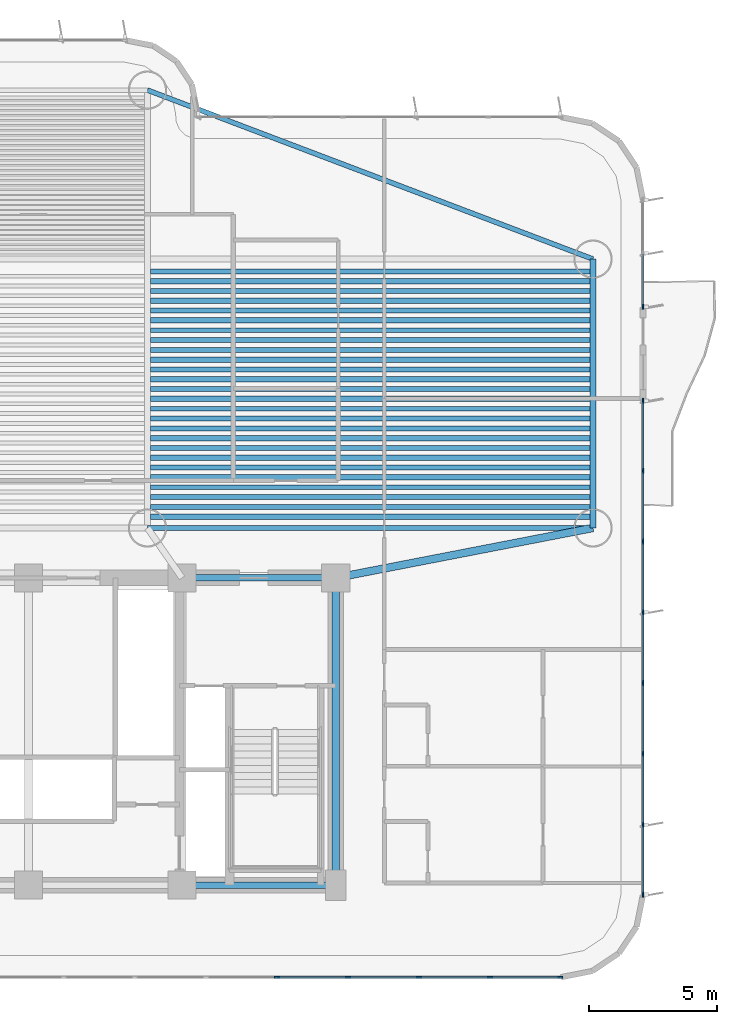
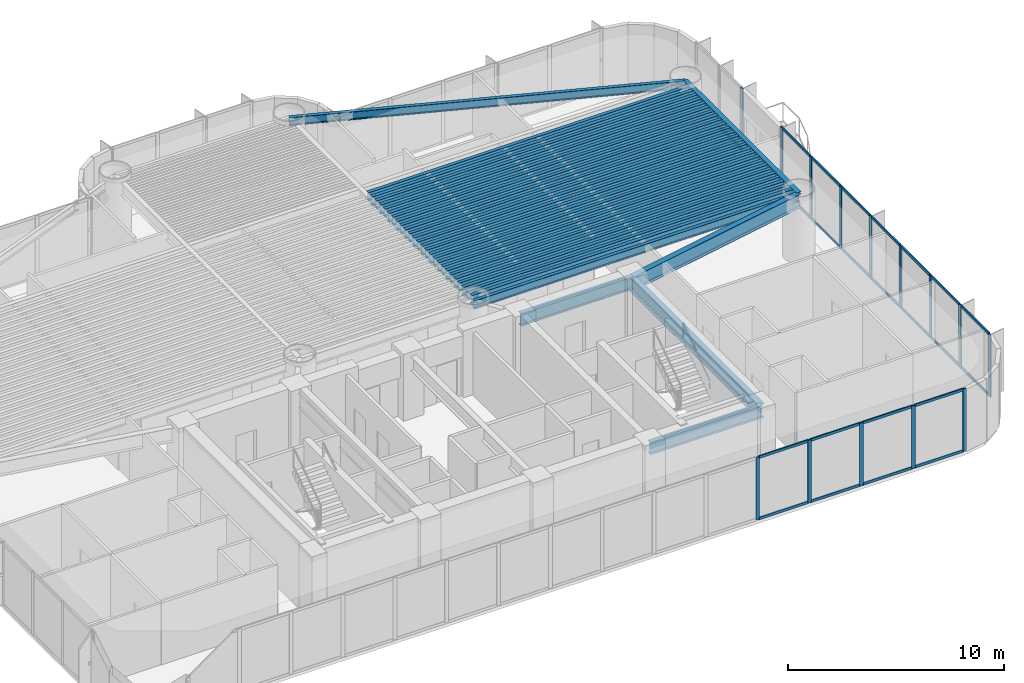
# One storey, part 5 of 17: 37 members, 33 beams, 3 elements without a shape of their own.
"""IFC4 building model written with IfcOpenShell, lengths in metres."""

from ifc_helpers import new_model, si_unit, direction, frame, origin, origin_2d, place, context, subcontext, project, spatial, rectangle, i_section, extrude, source, transform, mapped, material, layer, layer_set, material_profile, profile_set, type_object, element, aggregate, save


model = new_model("IFC4")

# Units and contexts
model_context = context("Model", 3, precision=1e-05, world=origin(), true_north=direction((0.0, 1.0)))
body_context = subcontext(model_context, "Body", "Model", "MODEL_VIEW")
ifc_project = project(units=[si_unit("LENGTHUNIT", "METRE"), si_unit("AREAUNIT", "SQUARE_METRE"), si_unit("VOLUMEUNIT", "CUBIC_METRE"), si_unit("PLANEANGLEUNIT", "RADIAN"), si_unit("MASSUNIT", "GRAM", prefix="KILO")], contexts=[model_context])

# Site, building, storey
site_placement = place(None, origin())
site = spatial("IfcSite", under=ifc_project, at=site_placement, CompositionType="ELEMENT")
building_placement = place(site_placement, origin())
building = spatial("IfcBuilding", under=site, at=building_placement, Name="Brelvock Crest Care Tower", CompositionType="ELEMENT")
storey_placement = place(building_placement, frame((0.0, 0.0, 45.89990234375)))
storey = spatial("IfcBuildingStorey", under=building, at=storey_placement, Name="L11", CompositionType="ELEMENT", Elevation=45.89990234375)

# Beams
ifc_material_1 = material(Name="Steel Grade 350", Category="steel")
ifc_material_profile_1 = material_profile(ifc_material_1, i_section(OverallWidth=0.25, OverallDepth=0.699951171875, WebThickness=0.011962890625, FlangeThickness=0.02001953125, at=origin_2d()), Name="700WB150")
ifc_profile_set_1 = profile_set([ifc_material_profile_1], Name="Steel Grade 350")
beam_type_1 = type_object("IfcBeamType", Name="BM-G4", PredefinedType="BEAM", material=ifc_profile_set_1)
shared_shape_1 = source(origin(), body_context, "Body", "SweptSolid", [
    extrude(i_section(OverallWidth=0.25, OverallDepth=0.699951171875, WebThickness=0.011962890625, FlangeThickness=0.02001953125, at=origin_2d()), origin(), (0.0, 0.0, 1.0), 6.0),
])
for number, where, z_axis, x_axis, name in (
    (1, (42.0, 6.0, 3.18017578125), (1.0, 0.0, 0.0), (0.0, 1.0, 0.0), "BM-CORES-L11-4"),
    (2, (42.0, 18.0, 3.18017578125), (1.0, 0.0, 0.0), (0.0, 1.0, 0.0), "BM-COREN-L11-4"),
):
    element("IfcBeam", number, at=place(storey_placement, frame(where, z_axis=z_axis, x_axis=x_axis)), inside=storey, type_object=beam_type_1, Name=name, PredefinedType="BEAM", context=body_context, shape_type="MappedRepresentation", body=[
        mapped(shared_shape_1, transform((0.0, 0.0, 0.0), x_axis=(1.0, 0.0, 0.0), y_axis=(0.0, 1.0, 0.0), z_axis=(0.0, 0.0, 1.0), scale=1.0)),
    ])
ifc_material_profile_2 = material_profile(ifc_material_1, i_section(OverallWidth=0.300048828125, OverallDepth=0.800048828125, WebThickness=0.013916015625, FlangeThickness=0.02197265625, at=origin_2d()), Name="800WB192")
ifc_profile_set_2 = profile_set([ifc_material_profile_2], Name="Steel Grade 350")
beam_type_2 = type_object("IfcBeamType", Name="BM-G5", PredefinedType="BEAM", material=ifc_profile_set_2)
shared_shape_2 = source(origin(), body_context, "Body", "SweptSolid", [
    extrude(i_section(OverallWidth=0.300048828125, OverallDepth=0.800048828125, WebThickness=0.013916015625, FlangeThickness=0.02197265625, at=origin_2d()), origin(), (0.0, 0.0, 1.0), 12.0),
])
beam_1_placement = place(storey_placement, frame((48.0, 6.0, 3.130126953125), z_axis=(0.0, 1.0, 0.0), x_axis=(-1.0, 0.0, 0.0)))
element("IfcBeam", 3, at=beam_1_placement, inside=storey, type_object=beam_type_2, Name="BM-COREX-L11-5", PredefinedType="BEAM", context=body_context, shape_type="MappedRepresentation", body=[
    mapped(shared_shape_2, transform((0.0, 0.0, 0.0), x_axis=(1.0, 0.0, 0.0), y_axis=(0.0, 1.0, 0.0), z_axis=(0.0, 0.0, 1.0), scale=1.0)),
])
shared_shape_3 = source(origin(), body_context, "Body", "SweptSolid", [
    extrude(i_section(OverallWidth=0.25, OverallDepth=0.699951171875, WebThickness=0.011962890625, FlangeThickness=0.02001953125, at=origin_2d()), origin(), (0.0, 0.0, 1.0), 10.5),
])
beam_2_placement = place(storey_placement, frame((58.050048828125, 19.949951171875, 3.18017578125), z_axis=(0.0, 1.0, 0.0), x_axis=(-1.0, 0.0, 0.0)))
element("IfcBeam", 4, at=beam_2_placement, inside=storey, type_object=beam_type_1, Name="BM-TWR-L11-02", PredefinedType="BEAM", context=body_context, shape_type="MappedRepresentation", body=[
    mapped(shared_shape_3, transform((0.0, 0.0, 0.0), x_axis=(1.0, 0.0, 0.0), y_axis=(0.0, 1.0, 0.0), z_axis=(0.0, 0.0, 1.0), scale=1.0)),
])
ifc_material_profile_3 = material_profile(ifc_material_1, i_section(OverallWidth=0.19091796875, OverallDepth=0.4599609375, WebThickness=0.010009765625, FlangeThickness=0.01611328125, FilletRadius=0.011474609375, at=origin_2d()), Name="460UB82.1")
ifc_profile_set_3 = profile_set([ifc_material_profile_3], Name="Steel Grade 350")
beam_type_3 = type_object("IfcBeamType", Name="BM-SP2", PredefinedType="SPANDREL", material=ifc_profile_set_3)
shared_shape_4 = source(origin(), body_context, "Body", "SweptSolid", [
    extrude(i_section(OverallWidth=0.19091796875, OverallDepth=0.4599609375, WebThickness=0.010009765625, FlangeThickness=0.01611328125, FilletRadius=0.011474609375, at=origin_2d()), origin(), (0.0, 0.0, 1.0), 17.400146484375),
])
beam_3_placement = place(storey_placement, frame((40.64990234375, 19.949951171875, 3.300048828125), z_axis=(1.0, 0.0, 0.0), x_axis=(0.0, 1.0, 0.0)))
element("IfcBeam", 5, at=beam_3_placement, inside=storey, type_object=beam_type_3, Name="BM-TWR-L11-04", PredefinedType="SPANDREL", context=body_context, shape_type="MappedRepresentation", body=[
    mapped(shared_shape_4, transform((0.0, 0.0, 0.0), x_axis=(1.0, 0.0, 0.0), y_axis=(0.0, 1.0, 0.0), z_axis=(0.0, 0.0, 1.0), scale=1.0)),
])
shared_shape_5 = source(origin(), body_context, "Body", "SweptSolid", [
    extrude(i_section(OverallWidth=0.19091796875, OverallDepth=0.4599609375, WebThickness=0.010009765625, FlangeThickness=0.01611328125, FilletRadius=0.011474609375, at=origin_2d()), origin(), (0.0, 0.0, 1.0), 18.60986328125),
])
beam_4_placement = place(storey_placement, frame((40.64990234375, 37.050048828125, 3.300048828125), z_axis=(0.934996776275, -0.3546562115, 0.0), x_axis=(0.3546562115, 0.934996776275, 0.0)))
element("IfcBeam", 6, at=beam_4_placement, inside=storey, type_object=beam_type_3, Name="BM-TWR-L11-07", PredefinedType="SPANDREL", context=body_context, shape_type="MappedRepresentation", body=[
    mapped(shared_shape_5, transform((0.0, 0.0, 0.0), x_axis=(1.0, 0.0, 0.0), y_axis=(0.0, 1.0, 0.0), z_axis=(0.0, 0.0, 1.0), scale=1.0)),
])
shared_shape_6 = source(origin(), body_context, "Body", "SweptSolid", [
    extrude(i_section(OverallWidth=0.300048828125, OverallDepth=0.800048828125, WebThickness=0.013916015625, FlangeThickness=0.02197265625, at=origin_2d()), origin(), (0.0, 0.0, 1.0), 10.237548828125),
])
beam_5_placement = place(storey_placement, frame((48.0, 18.0, 3.130126953125), z_axis=(0.981692632568, 0.190471979991, 0.0), x_axis=(-0.190471979991, 0.981692632568, 0.0)))
element("IfcBeam", 7, at=beam_5_placement, inside=storey, type_object=beam_type_2, Name="BM-THRO-E-L11", PredefinedType="BEAM", context=body_context, shape_type="MappedRepresentation", body=[
    mapped(shared_shape_6, transform((0.0, 0.0, 0.0), x_axis=(1.0, 0.0, 0.0), y_axis=(0.0, 1.0, 0.0), z_axis=(0.0, 0.0, 1.0), scale=1.0)),
])
ifc_material_profile_4 = material_profile(ifc_material_1, i_section(OverallWidth=0.208984375, OverallDepth=0.532958984375, WebThickness=0.01025390625, FlangeThickness=0.015625, FilletRadius=0.013916015625, at=origin_2d()), Name="530UB92.4")
ifc_profile_set_4 = profile_set([ifc_material_profile_4], Name="Steel Grade 350")
beam_type_4 = type_object("IfcBeamType", Name="BM-G2", PredefinedType="BEAM", material=ifc_profile_set_4)
shared_shape_7 = source(origin(), body_context, "Body", "SweptSolid", [
    extrude(i_section(OverallWidth=0.208984375, OverallDepth=0.532958984375, WebThickness=0.01025390625, FlangeThickness=0.015625, FilletRadius=0.013916015625, at=origin_2d()), origin(), (0.0, 0.0, 1.0), 17.170166015625),
])
for number, where, z_axis, x_axis, name in (
    (8, (40.764892578125, 20.39111328125, 3.263671875), (1.0, 0.0, 0.0), (0.0, 1.0, 0.0), "BM-JE-L11-1"),
    (9, (40.764892578125, 21.157470703125, 3.263671875), (1.0, 0.0, 0.0), (0.0, 1.0, 0.0), "BM-JE-L11-3"),
    (10, (40.764892578125, 21.924072265625, 3.263671875), (1.0, 0.0, 0.0), (0.0, 1.0, 0.0), "BM-JE-L11-5"),
    (11, (40.764892578125, 22.6904296875, 3.263671875), (1.0, 0.0, 0.0), (0.0, 1.0, 0.0), "BM-JE-L11-7"),
    (12, (40.764892578125, 23.45703125, 3.263671875), (1.0, 0.0, 0.0), (0.0, 1.0, 0.0), "BM-JE-L11-9"),
    (13, (40.764892578125, 24.223388671875, 3.263671875), (1.0, 0.0, 0.0), (0.0, 1.0, 0.0), "BM-JE-L11-11"),
    (14, (40.764892578125, 24.989990234375, 3.263671875), (1.0, 0.0, 0.0), (0.0, 1.0, 0.0), "BM-JE-L11-13"),
    (15, (40.764892578125, 25.756591796875, 3.263671875), (1.0, 0.0, 0.0), (0.0, 1.0, 0.0), "BM-JE-L11-15"),
    (16, (40.764892578125, 26.52294921875, 3.263671875), (1.0, 0.0, 0.0), (0.0, 1.0, 0.0), "BM-JE-L11-17"),
    (17, (40.764892578125, 27.28955078125, 3.263671875), (1.0, 0.0, 0.0), (0.0, 1.0, 0.0), "BM-JE-L11-19"),
    (18, (40.764892578125, 28.055908203125, 3.263671875), (1.0, 0.0, 0.0), (0.0, 1.0, 0.0), "BM-JE-L11-21"),
    (19, (40.764892578125, 28.822509765625, 3.263671875), (1.0, 0.0, 0.0), (0.0, 1.0, 0.0), "BM-JE-L11-23"),
    (20, (40.764892578125, 29.589111328125, 3.263671875), (1.0, 0.0, 0.0), (0.0, 1.0, 0.0), "BM-JE-L11-25"),
):
    element("IfcBeam", number, at=place(storey_placement, frame(where, z_axis=z_axis, x_axis=x_axis)), inside=storey, type_object=beam_type_4, Name=name, PredefinedType="BEAM", context=body_context, shape_type="MappedRepresentation", body=[
        mapped(shared_shape_7, transform((0.0, 0.0, 0.0), x_axis=(1.0, 0.0, 0.0), y_axis=(0.0, 1.0, 0.0), z_axis=(0.0, 0.0, 1.0), scale=1.0)),
    ])
ifc_material_profile_5 = material_profile(ifc_material_1, i_section(OverallWidth=0.19091796875, OverallDepth=0.4599609375, WebThickness=0.010009765625, FlangeThickness=0.01611328125, FilletRadius=0.011474609375, at=origin_2d()), Name="460UB82.1")
ifc_profile_set_5 = profile_set([ifc_material_profile_5], Name="Steel Grade 350")
beam_type_5 = type_object("IfcBeamType", Name="BM-G3", PredefinedType="BEAM", material=ifc_profile_set_5)
shared_shape_8 = source(origin(), body_context, "Body", "SweptSolid", [
    extrude(i_section(OverallWidth=0.19091796875, OverallDepth=0.4599609375, WebThickness=0.010009765625, FlangeThickness=0.01611328125, FilletRadius=0.011474609375, at=origin_2d()), origin(), (0.0, 0.0, 1.0), 17.170166015625),
])
for number, where, z_axis, x_axis, name in (
    (21, (40.764892578125, 20.774169921875, 3.300048828125), (1.0, 0.0, 0.0), (0.0, 1.0, 0.0), "BM-JE-L11-2"),
    (22, (40.764892578125, 21.540771484375, 3.300048828125), (1.0, 0.0, 0.0), (0.0, 1.0, 0.0), "BM-JE-L11-4"),
    (23, (40.764892578125, 22.30712890625, 3.300048828125), (1.0, 0.0, 0.0), (0.0, 1.0, 0.0), "BM-JE-L11-6"),
    (24, (40.764892578125, 23.07373046875, 3.300048828125), (1.0, 0.0, 0.0), (0.0, 1.0, 0.0), "BM-JE-L11-8"),
    (25, (40.764892578125, 23.840087890625, 3.300048828125), (1.0, 0.0, 0.0), (0.0, 1.0, 0.0), "BM-JE-L11-10"),
    (26, (40.764892578125, 24.606689453125, 3.300048828125), (1.0, 0.0, 0.0), (0.0, 1.0, 0.0), "BM-JE-L11-12"),
    (27, (40.764892578125, 25.373291015625, 3.300048828125), (1.0, 0.0, 0.0), (0.0, 1.0, 0.0), "BM-JE-L11-14"),
    (28, (40.764892578125, 26.1396484375, 3.300048828125), (1.0, 0.0, 0.0), (0.0, 1.0, 0.0), "BM-JE-L11-16"),
    (29, (40.764892578125, 26.90625, 3.300048828125), (1.0, 0.0, 0.0), (0.0, 1.0, 0.0), "BM-JE-L11-18"),
    (30, (40.764892578125, 27.6728515625, 3.300048828125), (1.0, 0.0, 0.0), (0.0, 1.0, 0.0), "BM-JE-L11-20"),
    (31, (40.764892578125, 28.439208984375, 3.300048828125), (1.0, 0.0, 0.0), (0.0, 1.0, 0.0), "BM-JE-L11-22"),
    (32, (40.764892578125, 29.205810546875, 3.300048828125), (1.0, 0.0, 0.0), (0.0, 1.0, 0.0), "BM-JE-L11-24"),
    (33, (40.764892578125, 29.97216796875, 3.300048828125), (1.0, 0.0, 0.0), (0.0, 1.0, 0.0), "BM-JE-L11-26"),
):
    element("IfcBeam", number, at=place(storey_placement, frame(where, z_axis=z_axis, x_axis=x_axis)), inside=storey, type_object=beam_type_5, Name=name, PredefinedType="BEAM", context=body_context, shape_type="MappedRepresentation", body=[
        mapped(shared_shape_8, transform((0.0, 0.0, 0.0), x_axis=(1.0, 0.0, 0.0), y_axis=(0.0, 1.0, 0.0), z_axis=(0.0, 0.0, 1.0), scale=1.0)),
    ])

# Curtain wall, member
ifc_material_2 = material(Name="Dark Glass Double Glazed Low-E", Category="glass")
ifc_layer = layer(ifc_material_2, 0.195068359375, Name="CWS-2")
ifc_layer_set = layer_set([ifc_layer], Name="Dark Glass Double Glazed Low-E")
curtain_wall_type = type_object("IfcCurtainWallType", Name="CWS-2", PredefinedType="NOTDEFINED", material=ifc_layer_set)
curtain_wall_1_placement = place(storey_placement, origin())
curtain_wall_1 = element("IfcCurtainWall", 34, at=curtain_wall_1_placement, inside=storey, type_object=curtain_wall_type, Name="L11 Curtain Wall E03A", PredefinedType="NOTDEFINED")
ifc_material_3 = material(Name="Aluminium 6063-T6", Category="aluminium")
ifc_material_profile_6 = material_profile(ifc_material_3, rectangle(XDim=0.06494140625, YDim=0.199951171875, at=origin_2d()), Name="ALU65x200")
ifc_profile_set_6 = profile_set([ifc_material_profile_6], Name="Aluminium 6063-T6")
member_type_1 = type_object("IfcMemberType", Name="CWM-1", PredefinedType="MULLION", material=ifc_profile_set_6)
shared_shape_9 = source(origin(), body_context, "Body", "SweptSolid", [
    extrude(rectangle(XDim=0.06494140625, YDim=0.199951171875, at=origin_2d()), origin(), (0.0, 0.0, 1.0), 3.530029296875),
])
member_1_placement = place(storey_placement, frame((60.0, 28.58251953125, 0.0), z_axis=(0.0, 0.0, 1.0), x_axis=(1.0, 0.0, 0.0)))
member_1 = element("IfcMember", 35, at=member_1_placement, type_object=member_type_1, Name="CW-2 mullion 3", PredefinedType="MULLION", context=body_context, shape_type="MappedRepresentation", body=[
    mapped(shared_shape_9, transform((0.0, 0.0, 0.0), x_axis=(1.0, 0.0, 0.0), y_axis=(0.0, 1.0, 0.0), z_axis=(0.0, 0.0, 1.0), scale=1.0)),
])

# Curtain wall, members
curtain_wall_2_placement = place(storey_placement, origin())
curtain_wall_2 = element("IfcCurtainWall", 36, at=curtain_wall_2_placement, inside=storey, type_object=curtain_wall_type, Name="L11 Curtain Wall E03B", PredefinedType="NOTDEFINED")
member_2_placement = place(storey_placement, frame((60.0, 24.91748046875, 0.0), z_axis=(0.0, 0.0, 1.0), x_axis=(1.0, 0.0, 0.0)))
member_2 = element("IfcMember", 37, at=member_2_placement, type_object=member_type_1, Name="CW-2 mullion 1", PredefinedType="MULLION", context=body_context, shape_type="MappedRepresentation", body=[
    mapped(shared_shape_9, transform((0.0, 0.0, 0.0), x_axis=(1.0, 0.0, 0.0), y_axis=(0.0, 1.0, 0.0), z_axis=(0.0, 0.0, 1.0), scale=1.0)),
])
member_3_placement = place(storey_placement, frame((60.0, 22.185791015625, 0.0), z_axis=(0.0, 0.0, 1.0), x_axis=(1.0, 0.0, 0.0)))
member_3 = element("IfcMember", 38, at=member_3_placement, type_object=member_type_1, Name="CW-2 mullion 2", PredefinedType="MULLION", context=body_context, shape_type="MappedRepresentation", body=[
    mapped(shared_shape_9, transform((0.0, 0.0, 0.0), x_axis=(1.0, 0.0, 0.0), y_axis=(0.0, 1.0, 0.0), z_axis=(0.0, 0.0, 1.0), scale=1.0)),
])
member_4_placement = place(storey_placement, frame((60.0, 19.42138671875, 0.0), z_axis=(0.0, 0.0, 1.0), x_axis=(1.0, 0.0, 0.0)))
member_4 = element("IfcMember", 39, at=member_4_placement, type_object=member_type_1, Name="CW-2 mullion 3", PredefinedType="MULLION", context=body_context, shape_type="MappedRepresentation", body=[
    mapped(shared_shape_9, transform((0.0, 0.0, 0.0), x_axis=(1.0, 0.0, 0.0), y_axis=(0.0, 1.0, 0.0), z_axis=(0.0, 0.0, 1.0), scale=1.0)),
])
member_5_placement = place(storey_placement, frame((60.0, 16.6572265625, 0.0), z_axis=(0.0, 0.0, 1.0), x_axis=(1.0, 0.0, 0.0)))
member_5 = element("IfcMember", 40, at=member_5_placement, type_object=member_type_1, Name="CW-2 mullion 4", PredefinedType="MULLION", context=body_context, shape_type="MappedRepresentation", body=[
    mapped(shared_shape_9, transform((0.0, 0.0, 0.0), x_axis=(1.0, 0.0, 0.0), y_axis=(0.0, 1.0, 0.0), z_axis=(0.0, 0.0, 1.0), scale=1.0)),
])
member_6_placement = place(storey_placement, frame((60.0, 13.892822265625, 0.0), z_axis=(0.0, 0.0, 1.0), x_axis=(1.0, 0.0, 0.0)))
member_6 = element("IfcMember", 41, at=member_6_placement, type_object=member_type_1, Name="CW-2 mullion 5", PredefinedType="MULLION", context=body_context, shape_type="MappedRepresentation", body=[
    mapped(shared_shape_9, transform((0.0, 0.0, 0.0), x_axis=(1.0, 0.0, 0.0), y_axis=(0.0, 1.0, 0.0), z_axis=(0.0, 0.0, 1.0), scale=1.0)),
])
member_7_placement = place(storey_placement, frame((60.0, 11.128662109375, 0.0), z_axis=(0.0, 0.0, 1.0), x_axis=(1.0, 0.0, 0.0)))
member_7 = element("IfcMember", 42, at=member_7_placement, type_object=member_type_1, Name="CW-2 mullion 6", PredefinedType="MULLION", context=body_context, shape_type="MappedRepresentation", body=[
    mapped(shared_shape_9, transform((0.0, 0.0, 0.0), x_axis=(1.0, 0.0, 0.0), y_axis=(0.0, 1.0, 0.0), z_axis=(0.0, 0.0, 1.0), scale=1.0)),
])
member_8_placement = place(storey_placement, frame((60.0, 8.3642578125, 0.0), z_axis=(0.0, 0.0, 1.0), x_axis=(1.0, 0.0, 0.0)))
member_8 = element("IfcMember", 43, at=member_8_placement, type_object=member_type_1, Name="CW-2 mullion 7", PredefinedType="MULLION", context=body_context, shape_type="MappedRepresentation", body=[
    mapped(shared_shape_9, transform((0.0, 0.0, 0.0), x_axis=(1.0, 0.0, 0.0), y_axis=(0.0, 1.0, 0.0), z_axis=(0.0, 0.0, 1.0), scale=1.0)),
])
member_9_placement = place(storey_placement, frame((60.0, 5.632568359375, 0.0), z_axis=(0.0, 0.0, 1.0), x_axis=(1.0, 0.0, 0.0)))
member_9 = element("IfcMember", 44, at=member_9_placement, type_object=member_type_1, Name="CW-2 mullion 8", PredefinedType="MULLION", context=body_context, shape_type="MappedRepresentation", body=[
    mapped(shared_shape_9, transform((0.0, 0.0, 0.0), x_axis=(1.0, 0.0, 0.0), y_axis=(0.0, 1.0, 0.0), z_axis=(0.0, 0.0, 1.0), scale=1.0)),
])

curtain_wall_3_placement = place(storey_placement, origin())
curtain_wall_3 = element("IfcCurtainWall", 45, at=curtain_wall_3_placement, inside=storey, type_object=curtain_wall_type, Name="L11 Curtain Wall E08", PredefinedType="NOTDEFINED")
member_10_placement = place(storey_placement, frame((56.767578125, 2.39990234375, 0.0), z_axis=(0.0, 0.0, 1.0), x_axis=(0.0, -1.0, 0.0)))
member_10 = element("IfcMember", 46, at=member_10_placement, type_object=member_type_1, Name="CW-2 mullion 1", PredefinedType="MULLION", context=body_context, shape_type="MappedRepresentation", body=[
    mapped(shared_shape_9, transform((0.0, 0.0, 0.0), x_axis=(1.0, 0.0, 0.0), y_axis=(0.0, 1.0, 0.0), z_axis=(0.0, 0.0, 1.0), scale=1.0)),
])
member_11_placement = place(storey_placement, frame((54.026611328125, 2.39990234375, 0.0), z_axis=(0.0, 0.0, 1.0), x_axis=(0.0, -1.0, 0.0)))
member_11 = element("IfcMember", 47, at=member_11_placement, type_object=member_type_1, Name="CW-2 mullion 2", PredefinedType="MULLION", context=body_context, shape_type="MappedRepresentation", body=[
    mapped(shared_shape_9, transform((0.0, 0.0, 0.0), x_axis=(1.0, 0.0, 0.0), y_axis=(0.0, 1.0, 0.0), z_axis=(0.0, 0.0, 1.0), scale=1.0)),
])
member_12_placement = place(storey_placement, frame((51.25341796875, 2.39990234375, 0.0), z_axis=(0.0, 0.0, 1.0), x_axis=(0.0, -1.0, 0.0)))
member_12 = element("IfcMember", 48, at=member_12_placement, type_object=member_type_1, Name="CW-2 mullion 3", PredefinedType="MULLION", context=body_context, shape_type="MappedRepresentation", body=[
    mapped(shared_shape_9, transform((0.0, 0.0, 0.0), x_axis=(1.0, 0.0, 0.0), y_axis=(0.0, 1.0, 0.0), z_axis=(0.0, 0.0, 1.0), scale=1.0)),
])
member_13_placement = place(storey_placement, frame((48.47998046875, 2.39990234375, 0.0), z_axis=(0.0, 0.0, 1.0), x_axis=(0.0, -1.0, 0.0)))
member_13 = element("IfcMember", 49, at=member_13_placement, type_object=member_type_1, Name="CW-2 mullion 4", PredefinedType="MULLION", context=body_context, shape_type="MappedRepresentation", body=[
    mapped(shared_shape_9, transform((0.0, 0.0, 0.0), x_axis=(1.0, 0.0, 0.0), y_axis=(0.0, 1.0, 0.0), z_axis=(0.0, 0.0, 1.0), scale=1.0)),
])
member_14_placement = place(storey_placement, frame((45.706787109375, 2.39990234375, 0.0), z_axis=(0.0, 0.0, 1.0), x_axis=(0.0, -1.0, 0.0)))
member_14 = element("IfcMember", 50, at=member_14_placement, type_object=member_type_1, Name="CW-2 mullion 5", PredefinedType="MULLION", context=body_context, shape_type="MappedRepresentation", body=[
    mapped(shared_shape_9, transform((0.0, 0.0, 0.0), x_axis=(1.0, 0.0, 0.0), y_axis=(0.0, 1.0, 0.0), z_axis=(0.0, 0.0, 1.0), scale=1.0)),
])
ifc_material_profile_7 = material_profile(ifc_material_3, rectangle(XDim=0.06494140625, YDim=0.14990234375, at=origin_2d()), Name="ALU65x150")
ifc_profile_set_7 = profile_set([ifc_material_profile_7], Name="Aluminium 6063-T6")
member_type_2 = type_object("IfcMemberType", Name="CWT-1", PredefinedType="USERDEFINED", material=ifc_profile_set_7)
shared_shape_10 = source(origin(), body_context, "Body", "SweptSolid", [
    extrude(rectangle(XDim=0.06494140625, YDim=0.14990234375, at=origin_2d()), origin(), (0.0, 0.0, 1.0), 2.676025390625),
])
member_15_placement = place(storey_placement, frame((56.735107421875, 2.39990234375, 0.03271484375), z_axis=(-1.0, 0.0, 0.0), x_axis=(0.0, -1.0, 0.0)))
member_15 = element("IfcMember", 51, at=member_15_placement, type_object=member_type_2, Name="CW-2 transom 1.1", ObjectType="TRANSOM", PredefinedType="USERDEFINED", context=body_context, shape_type="MappedRepresentation", body=[
    mapped(shared_shape_10, transform((0.0, 0.0, 0.0), x_axis=(1.0, 0.0, 0.0), y_axis=(0.0, 1.0, 0.0), z_axis=(0.0, 0.0, 1.0), scale=1.0)),
])
member_16_placement = place(storey_placement, frame((56.735107421875, 2.39990234375, 3.49755859375), z_axis=(-1.0, 0.0, 0.0), x_axis=(0.0, -1.0, 0.0)))
member_16 = element("IfcMember", 52, at=member_16_placement, type_object=member_type_2, Name="CW-2 transom 1.2", ObjectType="TRANSOM", PredefinedType="USERDEFINED", context=body_context, shape_type="MappedRepresentation", body=[
    mapped(shared_shape_10, transform((0.0, 0.0, 0.0), x_axis=(1.0, 0.0, 0.0), y_axis=(0.0, 1.0, 0.0), z_axis=(0.0, 0.0, 1.0), scale=1.0)),
])
shared_shape_11 = source(origin(), body_context, "Body", "SweptSolid", [
    extrude(rectangle(XDim=0.06494140625, YDim=0.14990234375, at=origin_2d()), origin(), (0.0, 0.0, 1.0), 2.708251953125),
])
member_17_placement = place(storey_placement, frame((53.994140625, 2.39990234375, 0.03271484375), z_axis=(-1.0, 0.0, 0.0), x_axis=(0.0, -1.0, 0.0)))
member_17 = element("IfcMember", 53, at=member_17_placement, type_object=member_type_2, Name="CW-2 transom 2.1", ObjectType="TRANSOM", PredefinedType="USERDEFINED", context=body_context, shape_type="MappedRepresentation", body=[
    mapped(shared_shape_11, transform((0.0, 0.0, 0.0), x_axis=(1.0, 0.0, 0.0), y_axis=(0.0, 1.0, 0.0), z_axis=(0.0, 0.0, 1.0), scale=1.0)),
])
member_18_placement = place(storey_placement, frame((53.994140625, 2.39990234375, 3.49755859375), z_axis=(-1.0, 0.0, 0.0), x_axis=(0.0, -1.0, 0.0)))
member_18 = element("IfcMember", 54, at=member_18_placement, type_object=member_type_2, Name="CW-2 transom 2.2", ObjectType="TRANSOM", PredefinedType="USERDEFINED", context=body_context, shape_type="MappedRepresentation", body=[
    mapped(shared_shape_11, transform((0.0, 0.0, 0.0), x_axis=(1.0, 0.0, 0.0), y_axis=(0.0, 1.0, 0.0), z_axis=(0.0, 0.0, 1.0), scale=1.0)),
])
member_19_placement = place(storey_placement, frame((48.447509765625, 2.39990234375, 0.03271484375), z_axis=(-1.0, 0.0, 0.0), x_axis=(0.0, -1.0, 0.0)))
member_19 = element("IfcMember", 55, at=member_19_placement, type_object=member_type_2, Name="CW-2 transom 4.1", ObjectType="TRANSOM", PredefinedType="USERDEFINED", context=body_context, shape_type="MappedRepresentation", body=[
    mapped(shared_shape_11, transform((0.0, 0.0, 0.0), x_axis=(1.0, 0.0, 0.0), y_axis=(0.0, 1.0, 0.0), z_axis=(0.0, 0.0, 1.0), scale=1.0)),
])
member_20_placement = place(storey_placement, frame((48.447509765625, 2.39990234375, 3.49755859375), z_axis=(-1.0, 0.0, 0.0), x_axis=(0.0, -1.0, 0.0)))
member_20 = element("IfcMember", 56, at=member_20_placement, type_object=member_type_2, Name="CW-2 transom 4.2", ObjectType="TRANSOM", PredefinedType="USERDEFINED", context=body_context, shape_type="MappedRepresentation", body=[
    mapped(shared_shape_11, transform((0.0, 0.0, 0.0), x_axis=(1.0, 0.0, 0.0), y_axis=(0.0, 1.0, 0.0), z_axis=(0.0, 0.0, 1.0), scale=1.0)),
])
shared_shape_12 = source(origin(), body_context, "Body", "SweptSolid", [
    extrude(rectangle(XDim=0.06494140625, YDim=0.14990234375, at=origin_2d()), origin(), (0.0, 0.0, 1.0), 2.70849609375),
])
member_21_placement = place(storey_placement, frame((51.220947265625, 2.39990234375, 0.03271484375), z_axis=(-1.0, 0.0, 0.0), x_axis=(0.0, -1.0, 0.0)))
member_21 = element("IfcMember", 57, at=member_21_placement, type_object=member_type_2, Name="CW-2 transom 3.1", ObjectType="TRANSOM", PredefinedType="USERDEFINED", context=body_context, shape_type="MappedRepresentation", body=[
    mapped(shared_shape_12, transform((0.0, 0.0, 0.0), x_axis=(1.0, 0.0, 0.0), y_axis=(0.0, 1.0, 0.0), z_axis=(0.0, 0.0, 1.0), scale=1.0)),
])
member_22_placement = place(storey_placement, frame((51.220947265625, 2.39990234375, 3.49755859375), z_axis=(-1.0, 0.0, 0.0), x_axis=(0.0, -1.0, 0.0)))
member_22 = element("IfcMember", 58, at=member_22_placement, type_object=member_type_2, Name="CW-2 transom 3.2", ObjectType="TRANSOM", PredefinedType="USERDEFINED", context=body_context, shape_type="MappedRepresentation", body=[
    mapped(shared_shape_12, transform((0.0, 0.0, 0.0), x_axis=(1.0, 0.0, 0.0), y_axis=(0.0, 1.0, 0.0), z_axis=(0.0, 0.0, 1.0), scale=1.0)),
])
aggregate(curtain_wall_3, [member_10, member_11, member_12, member_13, member_14, member_15, member_16, member_17, member_18, member_21, member_22, member_19, member_20])

# Member
shared_shape_13 = source(origin(), body_context, "Body", "SweptSolid", [
    extrude(rectangle(XDim=0.06494140625, YDim=0.14990234375, at=origin_2d()), origin(), (0.0, 0.0, 1.0), 2.027587890625),
])
member_23_placement = place(storey_placement, frame((60.0, 30.642578125, 0.03271484375), z_axis=(0.0, -1.0, 0.0), x_axis=(1.0, 0.0, 0.0)))
member_23 = element("IfcMember", 59, at=member_23_placement, type_object=member_type_2, Name="CW-2 transom 2.1", ObjectType="TRANSOM", PredefinedType="USERDEFINED", context=body_context, shape_type="MappedRepresentation", body=[
    mapped(shared_shape_13, transform((0.0, 0.0, 0.0), x_axis=(1.0, 0.0, 0.0), y_axis=(0.0, 1.0, 0.0), z_axis=(0.0, 0.0, 1.0), scale=1.0)),
])

aggregate(curtain_wall_1, [member_1, member_23])

shared_shape_14 = source(origin(), body_context, "Body", "SweptSolid", [
    extrude(rectangle(XDim=0.06494140625, YDim=0.14990234375, at=origin_2d()), origin(), (0.0, 0.0, 1.0), 2.666748046875),
])
member_24_placement = place(storey_placement, frame((60.0, 24.885009765625, 0.03271484375), z_axis=(0.0, -1.0, 0.0), x_axis=(1.0, 0.0, 0.0)))
member_24 = element("IfcMember", 60, at=member_24_placement, type_object=member_type_2, Name="CW-2 transom 1.1", ObjectType="TRANSOM", PredefinedType="USERDEFINED", context=body_context, shape_type="MappedRepresentation", body=[
    mapped(shared_shape_14, transform((0.0, 0.0, 0.0), x_axis=(1.0, 0.0, 0.0), y_axis=(0.0, 1.0, 0.0), z_axis=(0.0, 0.0, 1.0), scale=1.0)),
])

member_25_placement = place(storey_placement, frame((60.0, 24.885009765625, 3.49755859375), z_axis=(0.0, -1.0, 0.0), x_axis=(1.0, 0.0, 0.0)))
member_25 = element("IfcMember", 61, at=member_25_placement, type_object=member_type_2, Name="CW-2 transom 1.2", ObjectType="TRANSOM", PredefinedType="USERDEFINED", context=body_context, shape_type="MappedRepresentation", body=[
    mapped(shared_shape_14, transform((0.0, 0.0, 0.0), x_axis=(1.0, 0.0, 0.0), y_axis=(0.0, 1.0, 0.0), z_axis=(0.0, 0.0, 1.0), scale=1.0)),
])

member_26_placement = place(storey_placement, frame((60.0, 8.331787109375, 0.03271484375), z_axis=(0.0, -1.0, 0.0), x_axis=(1.0, 0.0, 0.0)))
member_26 = element("IfcMember", 62, at=member_26_placement, type_object=member_type_2, Name="CW-2 transom 7.1", ObjectType="TRANSOM", PredefinedType="USERDEFINED", context=body_context, shape_type="MappedRepresentation", body=[
    mapped(shared_shape_14, transform((0.0, 0.0, 0.0), x_axis=(1.0, 0.0, 0.0), y_axis=(0.0, 1.0, 0.0), z_axis=(0.0, 0.0, 1.0), scale=1.0)),
])

member_27_placement = place(storey_placement, frame((60.0, 8.331787109375, 3.49755859375), z_axis=(0.0, -1.0, 0.0), x_axis=(1.0, 0.0, 0.0)))
member_27 = element("IfcMember", 63, at=member_27_placement, type_object=member_type_2, Name="CW-2 transom 7.2", ObjectType="TRANSOM", PredefinedType="USERDEFINED", context=body_context, shape_type="MappedRepresentation", body=[
    mapped(shared_shape_14, transform((0.0, 0.0, 0.0), x_axis=(1.0, 0.0, 0.0), y_axis=(0.0, 1.0, 0.0), z_axis=(0.0, 0.0, 1.0), scale=1.0)),
])

shared_shape_15 = source(origin(), body_context, "Body", "SweptSolid", [
    extrude(rectangle(XDim=0.06494140625, YDim=0.14990234375, at=origin_2d()), origin(), (0.0, 0.0, 1.0), 2.699462890625),
])
member_28_placement = place(storey_placement, frame((60.0, 22.1533203125, 0.03271484375), z_axis=(0.0, -1.0, 0.0), x_axis=(1.0, 0.0, 0.0)))
member_28 = element("IfcMember", 64, at=member_28_placement, type_object=member_type_2, Name="CW-2 transom 2.1", ObjectType="TRANSOM", PredefinedType="USERDEFINED", context=body_context, shape_type="MappedRepresentation", body=[
    mapped(shared_shape_15, transform((0.0, 0.0, 0.0), x_axis=(1.0, 0.0, 0.0), y_axis=(0.0, 1.0, 0.0), z_axis=(0.0, 0.0, 1.0), scale=1.0)),
])

member_29_placement = place(storey_placement, frame((60.0, 22.1533203125, 3.49755859375), z_axis=(0.0, -1.0, 0.0), x_axis=(1.0, 0.0, 0.0)))
member_29 = element("IfcMember", 65, at=member_29_placement, type_object=member_type_2, Name="CW-2 transom 2.2", ObjectType="TRANSOM", PredefinedType="USERDEFINED", context=body_context, shape_type="MappedRepresentation", body=[
    mapped(shared_shape_15, transform((0.0, 0.0, 0.0), x_axis=(1.0, 0.0, 0.0), y_axis=(0.0, 1.0, 0.0), z_axis=(0.0, 0.0, 1.0), scale=1.0)),
])

member_30_placement = place(storey_placement, frame((60.0, 16.624755859375, 0.03271484375), z_axis=(0.0, -1.0, 0.0), x_axis=(1.0, 0.0, 0.0)))
member_30 = element("IfcMember", 66, at=member_30_placement, type_object=member_type_2, Name="CW-2 transom 4.1", ObjectType="TRANSOM", PredefinedType="USERDEFINED", context=body_context, shape_type="MappedRepresentation", body=[
    mapped(shared_shape_15, transform((0.0, 0.0, 0.0), x_axis=(1.0, 0.0, 0.0), y_axis=(0.0, 1.0, 0.0), z_axis=(0.0, 0.0, 1.0), scale=1.0)),
])

member_31_placement = place(storey_placement, frame((60.0, 16.624755859375, 3.49755859375), z_axis=(0.0, -1.0, 0.0), x_axis=(1.0, 0.0, 0.0)))
member_31 = element("IfcMember", 67, at=member_31_placement, type_object=member_type_2, Name="CW-2 transom 4.2", ObjectType="TRANSOM", PredefinedType="USERDEFINED", context=body_context, shape_type="MappedRepresentation", body=[
    mapped(shared_shape_15, transform((0.0, 0.0, 0.0), x_axis=(1.0, 0.0, 0.0), y_axis=(0.0, 1.0, 0.0), z_axis=(0.0, 0.0, 1.0), scale=1.0)),
])

member_32_placement = place(storey_placement, frame((60.0, 11.09619140625, 0.03271484375), z_axis=(0.0, -1.0, 0.0), x_axis=(1.0, 0.0, 0.0)))
member_32 = element("IfcMember", 68, at=member_32_placement, type_object=member_type_2, Name="CW-2 transom 6.1", ObjectType="TRANSOM", PredefinedType="USERDEFINED", context=body_context, shape_type="MappedRepresentation", body=[
    mapped(shared_shape_15, transform((0.0, 0.0, 0.0), x_axis=(1.0, 0.0, 0.0), y_axis=(0.0, 1.0, 0.0), z_axis=(0.0, 0.0, 1.0), scale=1.0)),
])

member_33_placement = place(storey_placement, frame((60.0, 11.09619140625, 3.49755859375), z_axis=(0.0, -1.0, 0.0), x_axis=(1.0, 0.0, 0.0)))
member_33 = element("IfcMember", 69, at=member_33_placement, type_object=member_type_2, Name="CW-2 transom 6.2", ObjectType="TRANSOM", PredefinedType="USERDEFINED", context=body_context, shape_type="MappedRepresentation", body=[
    mapped(shared_shape_15, transform((0.0, 0.0, 0.0), x_axis=(1.0, 0.0, 0.0), y_axis=(0.0, 1.0, 0.0), z_axis=(0.0, 0.0, 1.0), scale=1.0)),
])

shared_shape_16 = source(origin(), body_context, "Body", "SweptSolid", [
    extrude(rectangle(XDim=0.06494140625, YDim=0.14990234375, at=origin_2d()), origin(), (0.0, 0.0, 1.0), 2.69921875),
])
member_34_placement = place(storey_placement, frame((60.0, 19.388916015625, 0.03271484375), z_axis=(0.0, -1.0, 0.0), x_axis=(1.0, 0.0, 0.0)))
member_34 = element("IfcMember", 70, at=member_34_placement, type_object=member_type_2, Name="CW-2 transom 3.1", ObjectType="TRANSOM", PredefinedType="USERDEFINED", context=body_context, shape_type="MappedRepresentation", body=[
    mapped(shared_shape_16, transform((0.0, 0.0, 0.0), x_axis=(1.0, 0.0, 0.0), y_axis=(0.0, 1.0, 0.0), z_axis=(0.0, 0.0, 1.0), scale=1.0)),
])

member_35_placement = place(storey_placement, frame((60.0, 19.388916015625, 3.49755859375), z_axis=(0.0, -1.0, 0.0), x_axis=(1.0, 0.0, 0.0)))
member_35 = element("IfcMember", 71, at=member_35_placement, type_object=member_type_2, Name="CW-2 transom 3.2", ObjectType="TRANSOM", PredefinedType="USERDEFINED", context=body_context, shape_type="MappedRepresentation", body=[
    mapped(shared_shape_16, transform((0.0, 0.0, 0.0), x_axis=(1.0, 0.0, 0.0), y_axis=(0.0, 1.0, 0.0), z_axis=(0.0, 0.0, 1.0), scale=1.0)),
])

member_36_placement = place(storey_placement, frame((60.0, 13.8603515625, 0.03271484375), z_axis=(0.0, -1.0, 0.0), x_axis=(1.0, 0.0, 0.0)))
member_36 = element("IfcMember", 72, at=member_36_placement, type_object=member_type_2, Name="CW-2 transom 5.1", ObjectType="TRANSOM", PredefinedType="USERDEFINED", context=body_context, shape_type="MappedRepresentation", body=[
    mapped(shared_shape_16, transform((0.0, 0.0, 0.0), x_axis=(1.0, 0.0, 0.0), y_axis=(0.0, 1.0, 0.0), z_axis=(0.0, 0.0, 1.0), scale=1.0)),
])

member_37_placement = place(storey_placement, frame((60.0, 13.8603515625, 3.49755859375), z_axis=(0.0, -1.0, 0.0), x_axis=(1.0, 0.0, 0.0)))
member_37 = element("IfcMember", 73, at=member_37_placement, type_object=member_type_2, Name="CW-2 transom 5.2", ObjectType="TRANSOM", PredefinedType="USERDEFINED", context=body_context, shape_type="MappedRepresentation", body=[
    mapped(shared_shape_16, transform((0.0, 0.0, 0.0), x_axis=(1.0, 0.0, 0.0), y_axis=(0.0, 1.0, 0.0), z_axis=(0.0, 0.0, 1.0), scale=1.0)),
])

aggregate(curtain_wall_2, [member_2, member_3, member_4, member_5, member_6, member_7, member_8, member_9, member_24, member_25, member_28, member_29, member_34, member_35, member_30, member_31, member_36, member_37, member_32, member_33, member_26, member_27])

save(model, "model.ifc")
